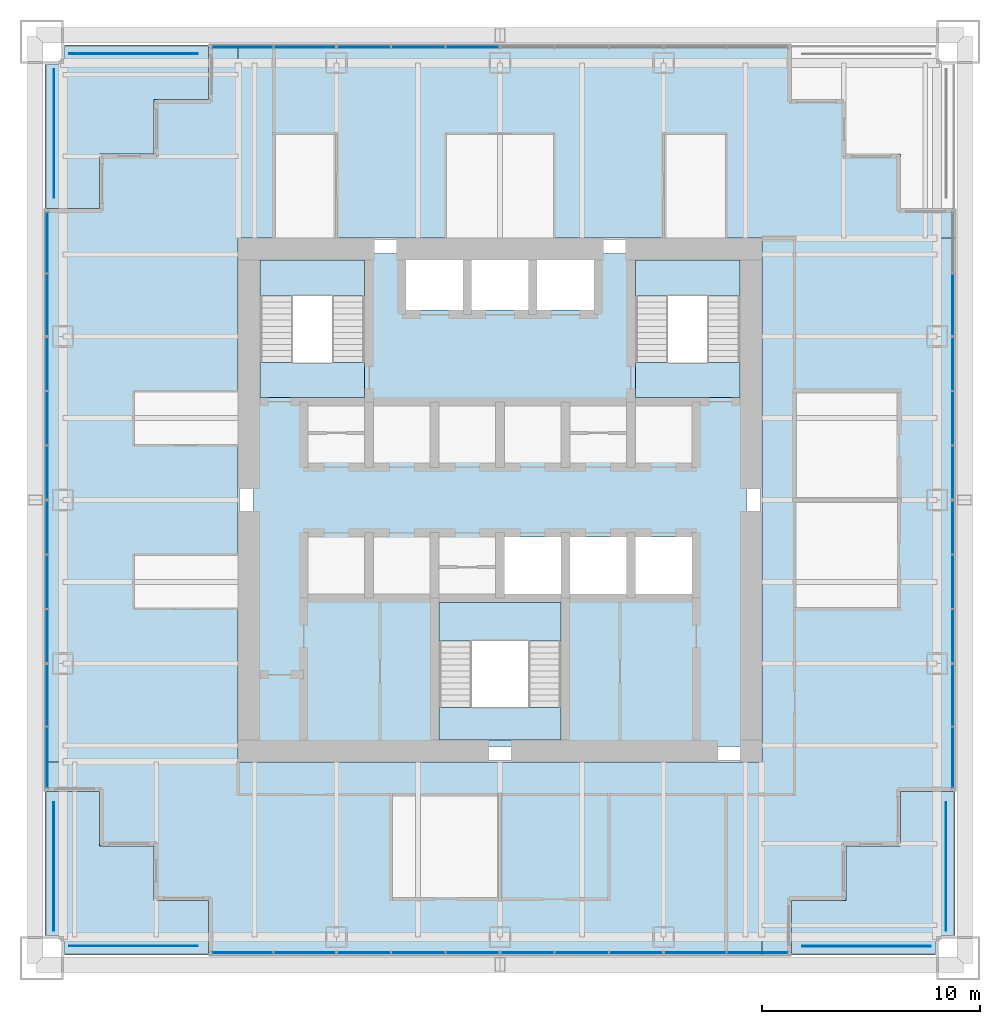
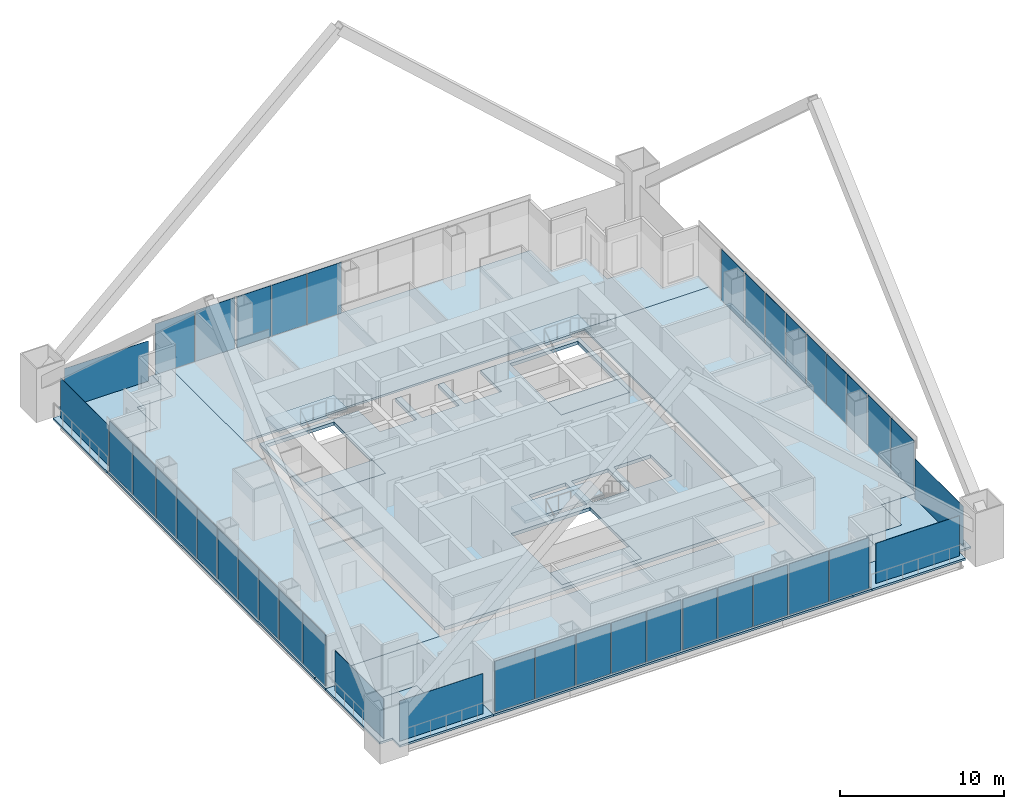
# One storey, part 12 of 18: 40 plates, 14 slabs, 17 elements without a shape of their own.
"""IFC4 building model written with IfcOpenShell, lengths in metres."""

import ifcopenshell
import ifcopenshell.guid

model = None  # the IFC model being written
_history = None  # IfcOwnerHistory: only IFC2X3 demands one
_inside = {}  # id of a spatial element -> (the spatial element, [elements in it])
_under = {}  # id of a project, library or spatial element -> (it, [spatial elements below it])
_declared = {}  # id of a project -> (the project, [libraries it declares])
_typed = {}  # id of a type object -> (the type object, [elements of that type])
_made_of = {}  # id of a material, layer set ... -> (it, [elements and type objects made of it])


def new_model(schema):
    """Start an empty IFC model of exactly this schema.

    Asked for "IFC4X3", IfcOpenShell would pick the latest addendum, in which some entities
    have other attributes; the version numbers below select the first issue.
    IFC2X3 requires an IfcOwnerHistory on every rooted entity: one is made here for all.
    """
    global model, _history
    if schema == "IFC4X3":
        model = ifcopenshell.file(schema_version=(4, 3, 0, 0))
    else:
        model = ifcopenshell.file(schema=schema)
    _inside.clear()
    _under.clear()
    _declared.clear()
    _typed.clear()
    _made_of.clear()
    _history = None
    if model.schema == "IFC2X3":
        org = make("IfcOrganization", Name="unknown")
        user = make(
            "IfcPersonAndOrganization",
            ThePerson=make("IfcPerson", FamilyName="unknown"),
            TheOrganization=org,
        )
        app = make(
            "IfcApplication",
            ApplicationDeveloper=org,
            Version="unknown",
            ApplicationFullName="unknown",
            ApplicationIdentifier="unknown",
        )
        _history = make(
            "IfcOwnerHistory",
            OwningUser=user,
            OwningApplication=app,
            ChangeAction="ADDED",
            CreationDate=0,
        )
    return model


def make(cls, **values):
    """One entity of the class cls with the attributes given. An attribute that is None is left unset."""
    return model.create_entity(
        cls, **{name: value for name, value in values.items() if value is not None}
    )


def rooted(cls, **values):
    """An entity with a GlobalId (a new one), such as an element, a storey or a relation."""
    return make(cls, GlobalId=ifcopenshell.guid.new(), OwnerHistory=_history, **values)


def si_unit(unit_type, name, prefix=None):
    """IfcSIUnit, for example si_unit("LENGTHUNIT", "METRE", prefix="MILLI")."""
    return make("IfcSIUnit", UnitType=unit_type, Prefix=prefix, Name=name)


def assignment(units):
    """IfcUnitAssignment: the units of a project."""
    return None if units is None else make("IfcUnitAssignment", Units=units)


def point(xyz):
    """IfcCartesianPoint."""
    return None if xyz is None else make("IfcCartesianPoint", Coordinates=xyz)


def direction(xyz):
    """IfcDirection."""
    return None if xyz is None else make("IfcDirection", DirectionRatios=xyz)


def frame(location, z_axis=None, x_axis=None):
    """IfcAxis2Placement3D, a coordinate frame: its origin and axes. An axis left out is left unset."""
    return make(
        "IfcAxis2Placement3D",
        Location=point(location),
        Axis=direction(z_axis),
        RefDirection=direction(x_axis),
    )


def frame_2d(location, x_axis=None):
    """IfcAxis2Placement2D, a coordinate frame in the plane: its origin and x axis."""
    return make(
        "IfcAxis2Placement2D", Location=point(location), RefDirection=direction(x_axis)
    )


def origin():
    """The frame at (0, 0, 0) with its axes left unset."""
    return frame((0.0, 0.0, 0.0))


def origin_2d():
    """The frame at (0, 0) in the plane with its x axis left unset."""
    return frame_2d((0.0, 0.0))


def place(relative_to, where):
    """IfcLocalPlacement: puts the frame where relative to a parent placement (None: the world)."""
    return make(
        "IfcLocalPlacement", PlacementRelTo=relative_to, RelativePlacement=where
    )


def context(
    kind, dimensions, precision=None, world=None, true_north=None, identifier=None
):
    """IfcGeometricRepresentationContext, for example the 3D "Model" context."""
    return make(
        "IfcGeometricRepresentationContext",
        ContextIdentifier=identifier,
        ContextType=kind,
        CoordinateSpaceDimension=dimensions,
        Precision=precision,
        WorldCoordinateSystem=world,
        TrueNorth=true_north,
    )


def subcontext(parent, identifier, kind, view, scale=None):
    """IfcGeometricRepresentationSubContext, for example "Body" below "Model"."""
    return make(
        "IfcGeometricRepresentationSubContext",
        ContextIdentifier=identifier,
        ContextType=kind,
        ParentContext=parent,
        TargetScale=scale,
        TargetView=view,
    )


def project(units=None, contexts=None):
    """IfcProject with its units and contexts."""
    return rooted(
        "IfcProject",
        Name="project",
        RepresentationContexts=contexts,
        UnitsInContext=assignment(units),
    )


def spatial(cls, under=None, at=None, **own):
    """A site, building, storey or space (cls), placed at a placement, below another one or the project."""
    s = rooted(cls, ObjectPlacement=at, **own)
    if under is not None:
        _under.setdefault(under.id(), (under, []))[1].append(s)
    return s


def polyline(points):
    """IfcPolyline through the points."""
    return make("IfcPolyline", Points=[point(p) for p in points])


def profile(cls, at=None, kind="AREA", **sizes):
    """A parametric profile (cls). Its sizes go by their IFC names, for example OverallWidth=200.0."""
    return make(cls, ProfileType=kind, Position=at, **sizes)


def rectangle(**sizes):
    """IfcRectangleProfileDef."""
    return profile("IfcRectangleProfileDef", **sizes)


def outline(outer, holes=None, kind="AREA"):
    """IfcArbitraryClosedProfileDef: a profile drawn as a closed curve; with holes, ...WithVoids."""
    if holes is None:
        return make("IfcArbitraryClosedProfileDef", ProfileType=kind, OuterCurve=outer)
    return make(
        "IfcArbitraryProfileDefWithVoids",
        ProfileType=kind,
        OuterCurve=outer,
        InnerCurves=holes,
    )


def extrude(swept, where, along, depth):
    """IfcExtrudedAreaSolid: the profile swept, set in the frame where, extruded along a direction by depth."""
    return make(
        "IfcExtrudedAreaSolid",
        SweptArea=swept,
        Position=where,
        ExtrudedDirection=direction(along),
        Depth=depth,
    )


def shape(context_of_items, identifier, shape_type, items):
    """IfcShapeRepresentation: the items that make up one representation, for example the "Body"."""
    return make(
        "IfcShapeRepresentation",
        ContextOfItems=context_of_items,
        RepresentationIdentifier=identifier,
        RepresentationType=shape_type,
        Items=items,
    )


def material(Name=None, Category=None):
    """IfcMaterial."""
    return make("IfcMaterial", Name=Name, Category=Category)


def layer(
    of_material, thickness, ventilated=None, Name=None, Category=None, Priority=None
):
    """IfcMaterialLayer: one layer of a wall or slab, of a material (None: an air gap)."""
    return make(
        "IfcMaterialLayer",
        Material=of_material,
        LayerThickness=thickness,
        IsVentilated=ventilated,
        Name=Name,
        Category=Category,
        Priority=Priority,
    )


def layer_set(layers, Name=None):
    """IfcMaterialLayerSet."""
    return make("IfcMaterialLayerSet", MaterialLayers=layers, LayerSetName=Name)


def made_of(thing, what):
    """Note that an element or type object is made of a material, layer set ...; save() writes the relation."""
    if what is not None:
        _made_of.setdefault(what.id(), (what, []))[1].append(thing)
    return thing


def type_object(cls, material=None, **own):
    """A type object (cls), such as IfcWallType, which elements share."""
    return made_of(rooted(cls, **own), material)


def element(
    cls,
    number,
    at=None,
    inside=None,
    cuts=None,
    type_object=None,
    material=None,
    context=None,
    identifier="Body",
    shape_type=None,
    held_by="IfcProductDefinitionShape",
    body=None,
    shapes=None,
    **own,
):
    """One element of the class cls, such as IfcWall. Its Tag is "e" and its number.

    at: its placement. inside: the storey or other place that contains it. cuts: it is an
    opening in that element (IfcRelVoidsElement). A single representation is given by context,
    identifier, shape_type and body (its items); several are given by shapes. held_by: the class
    of the entity that holds the representations. save() writes the other relations.
    """
    e = rooted(cls, Tag="e%d" % number, ObjectPlacement=at, **own)
    if body is not None:
        shapes = [shape(context, identifier, shape_type, body)]
    if shapes is not None:
        e.Representation = make(held_by, Representations=shapes)
    if inside is not None:
        _inside.setdefault(inside.id(), (inside, []))[1].append(e)
    if cuts is not None:
        rooted(
            "IfcRelVoidsElement", RelatingBuildingElement=cuts, RelatedOpeningElement=e
        )
    if type_object is not None:
        _typed.setdefault(type_object.id(), (type_object, []))[1].append(e)
    return made_of(e, material)


def aggregate(whole, parts):
    """IfcRelAggregates: a whole, such as a stair, and the parts it consists of."""
    return rooted("IfcRelAggregates", RelatingObject=whole, RelatedObjects=parts)


def save(model, path):
    """Write the relations noted so far, then the file.

    IfcRelAggregates (storeys below a building ...), IfcRelContainedInSpatialStructure (elements
    in a storey), IfcRelDefinesByType, IfcRelAssociatesMaterial and IfcRelDeclares: one each for
    every whole, place, type object, material and project.
    """
    for whole, parts in _under.values():
        aggregate(whole, parts)
    for where, things in _inside.values():
        rooted(
            "IfcRelContainedInSpatialStructure",
            RelatedElements=things,
            RelatingStructure=where,
        )
    for kind, things in _typed.values():
        rooted("IfcRelDefinesByType", RelatedObjects=things, RelatingType=kind)
    for what, things in _made_of.values():
        rooted("IfcRelAssociatesMaterial", RelatedObjects=things, RelatingMaterial=what)
    for by, libraries in _declared.values():
        rooted("IfcRelDeclares", RelatingContext=by, RelatedDefinitions=libraries)
    model.write(path)


model = new_model("IFC4")

# Units and contexts
model_context = context("Model", 3, precision=1e-05, world=origin(), true_north=direction((0.0, 1.0)))
body_context = subcontext(model_context, "Body", "Model", "MODEL_VIEW")
ifc_project = project(units=[si_unit("LENGTHUNIT", "METRE"), si_unit("AREAUNIT", "SQUARE_METRE"), si_unit("VOLUMEUNIT", "CUBIC_METRE"), si_unit("PLANEANGLEUNIT", "RADIAN"), si_unit("MASSUNIT", "GRAM", prefix="KILO")], contexts=[model_context])

# Site, building, storey
site_placement = place(None, origin())
site = spatial("IfcSite", under=ifc_project, at=site_placement, CompositionType="ELEMENT")
building_placement = place(site_placement, origin())
building = spatial("IfcBuilding", under=site, at=building_placement, Name="Tarangal Relay Tower", CompositionType="ELEMENT")
storey_placement = place(building_placement, frame((0.0, 0.0, 295.89990234375)))
storey = spatial("IfcBuildingStorey", under=building, at=storey_placement, Name="L65", CompositionType="ELEMENT", Elevation=295.89990234375)

# Slabs
ifc_material_1 = material(Name="Concrete fc' 35 MPa", Category="concrete")
ifc_layer_1 = layer(ifc_material_1, 0.25)
ifc_layer_set_1 = layer_set([ifc_layer_1], Name="Core floor slab 250")
slab_type_1 = type_object("IfcSlabType", Name="Core floor slab 250", PredefinedType="FLOOR", material=ifc_layer_set_1)
slab_1_placement = place(storey_placement, frame((0.0, 0.0, -0.25)))
element("IfcSlab", 1, at=slab_1_placement, inside=storey, type_object=slab_type_1, Name="Core floor slab L65", PredefinedType="FLOOR", context=body_context, shape_type="SweptSolid", body=[
    extrude(outline(polyline([(11.300048828125, 11.300048828125), (11.300048828125, -11.300048828125), (-11.300048828125, -11.300048828125), (-11.300048828125, 11.300048828125), (-4.300048828125, 11.300048828125), (-4.300048828125, 8.699951171875), (-1.699951171875, 8.699951171875), (-1.699951171875, 11.300048828125), (-1.300048828125, 11.300048828125), (-1.300048828125, 8.699951171875), (1.300048828125, 8.699951171875), (1.300048828125, 11.300048828125), (1.699951171875, 11.300048828125), (1.699951171875, 8.699951171875), (4.300048828125, 8.699951171875), (4.300048828125, 11.300048828125), (11.300048828125, 11.300048828125)]), holes=[polyline([(2.800048828125, -4.699951171875), (-2.800048828125, -4.699951171875), (-2.800048828125, -11.0), (2.800048828125, -11.0), (2.800048828125, -4.699951171875)]), polyline([(2.800048828125, -1.699951171875), (0.199951171875, -1.699951171875), (0.199951171875, -4.300048828125), (2.800048828125, -4.300048828125), (2.800048828125, -1.699951171875)]), polyline([(5.800048828125, -1.699951171875), (3.199951171875, -1.699951171875), (3.199951171875, -4.300048828125), (5.800048828125, -4.300048828125), (5.800048828125, -1.699951171875)]), polyline([(8.800048828125, -1.699951171875), (6.199951171875, -1.699951171875), (6.199951171875, -4.300048828125), (8.800048828125, -4.300048828125), (8.800048828125, -1.699951171875)]), polyline([(-6.199951171875, 11.0), (-11.0, 11.0), (-11.0, 4.699951171875), (-6.199951171875, 4.699951171875), (-6.199951171875, 11.0)]), polyline([(11.0, 11.0), (6.199951171875, 11.0), (6.199951171875, 4.699951171875), (11.0, 4.699951171875), (11.0, 11.0)])]), origin(), (0.0, 0.0, 1.0), 0.25),
])
ifc_layer_2 = layer(ifc_material_1, 0.14990234375)
ifc_layer_set_2 = layer_set([ifc_layer_2], Name="Floor slab 150")
slab_type_2 = type_object("IfcSlabType", Name="Floor slab 150", PredefinedType="FLOOR", material=ifc_layer_set_2)
slab_2_placement = place(storey_placement, frame((0.0, 0.0, -0.14990234375)))
element("IfcSlab", 2, at=slab_2_placement, inside=storey, type_object=slab_type_2, Name="Floor slab FS3 L65 north bay", PredefinedType="FLOOR", context=body_context, shape_type="SweptSolid", body=[
    extrude(outline(polyline([(13.35009765625, 20.85009765625), (13.35009765625, 18.35009765625), (15.85009765625, 18.35009765625), (15.85009765625, 15.85009765625), (18.35009765625, 15.85009765625), (18.35009765625, 13.35009765625), (20.85009765625, 13.35009765625), (20.85009765625, 12.0), (-12.0, 12.0), (-12.0, 20.85009765625), (13.35009765625, 20.85009765625)])), origin(), (0.0, 0.0, 1.0), 0.14990234375),
])
slab_3_placement = place(storey_placement, frame((0.0, 0.0, -0.14990234375)))
element("IfcSlab", 3, at=slab_3_placement, inside=storey, type_object=slab_type_2, Name="Floor slab FS3 L65 east bay", PredefinedType="FLOOR", context=body_context, shape_type="SweptSolid", body=[
    extrude(outline(polyline([(20.85009765625, -13.35009765625), (18.35009765625, -13.35009765625), (18.35009765625, -15.85009765625), (15.85009765625, -15.85009765625), (15.85009765625, -18.35009765625), (13.35009765625, -18.35009765625), (13.35009765625, -20.85009765625), (12.0, -20.85009765625), (12.0, 12.0), (20.85009765625, 12.0), (20.85009765625, -13.35009765625)])), origin(), (0.0, 0.0, 1.0), 0.14990234375),
])
slab_4_placement = place(storey_placement, frame((0.0, 0.0, -0.14990234375)))
element("IfcSlab", 4, at=slab_4_placement, inside=storey, type_object=slab_type_2, Name="Floor slab FS3 L65 south bay", PredefinedType="FLOOR", context=body_context, shape_type="SweptSolid", body=[
    extrude(outline(polyline([(-13.35009765625, -20.85009765625), (-13.35009765625, -18.35009765625), (-15.85009765625, -18.35009765625), (-15.85009765625, -15.85009765625), (-18.35009765625, -15.85009765625), (-18.35009765625, -13.35009765625), (-20.85009765625, -13.35009765625), (-20.85009765625, -12.0), (12.0, -12.0), (12.0, -20.85009765625), (-13.35009765625, -20.85009765625)])), origin(), (0.0, 0.0, 1.0), 0.14990234375),
])
slab_5_placement = place(storey_placement, frame((0.0, 0.0, -0.14990234375)))
element("IfcSlab", 5, at=slab_5_placement, inside=storey, type_object=slab_type_2, Name="Floor slab FS3 L65 west bay", PredefinedType="FLOOR", context=body_context, shape_type="SweptSolid", body=[
    extrude(outline(polyline([(-12.0, 20.85009765625), (-12.0, -12.0), (-20.85009765625, -12.0), (-20.85009765625, 13.35009765625), (-18.35009765625, 13.35009765625), (-18.35009765625, 15.85009765625), (-15.85009765625, 15.85009765625), (-15.85009765625, 18.35009765625), (-13.35009765625, 18.35009765625), (-13.35009765625, 20.85009765625), (-12.0, 20.85009765625)])), origin(), (0.0, 0.0, 1.0), 0.14990234375),
])

# Curtain wall, plates
ifc_material_2 = material(Name="Unitised curtain wall, dark glass and black aluminium", Category="aluminium")
curtain_wall_type = type_object("IfcCurtainWallType", Name="Curtain wall CW-B", PredefinedType="USERDEFINED", material=ifc_material_2)
curtain_wall_1_placement = place(storey_placement, origin())
curtain_wall_1 = element("IfcCurtainWall", 6, at=curtain_wall_1_placement, inside=storey, type_object=curtain_wall_type, Name="Curtain wall CW-B N facade L65", ObjectType="UNITISED CURTAIN WALL", PredefinedType="USERDEFINED")
ifc_material_3 = material(Name="Dark tinted insulated glass unit", Category="glass")
ifc_layer_3 = layer(ifc_material_3, 0.030029296875)
ifc_layer_set_3 = layer_set([ifc_layer_3], Name="Glazed panel CW-B 30")
plate_type_1 = type_object("IfcPlateType", Name="Glazed panel CW-B 30", PredefinedType="CURTAIN_PANEL", material=ifc_layer_set_3)
plate_1_placement = place(storey_placement, frame((-11.797607421875, 20.75, 0.06005859375), z_axis=(0.0, 0.0, 1.0), x_axis=(1.0, 0.0, 0.0)))
plate_1 = element("IfcPlate", 7, at=plate_1_placement, type_object=plate_type_1, Name="CW-B panel 1.1", PredefinedType="CURTAIN_PANEL", context=body_context, shape_type="SweptSolid", body=[
    extrude(rectangle(XDim=2.784912109375, YDim=0.030029296875, at=origin_2d()), origin(), (0.0, 0.0, 1.0), 3.7900390625),
])
plate_2_placement = place(storey_placement, frame((-8.952392578125, 20.75, 0.06005859375), z_axis=(0.0, 0.0, 1.0), x_axis=(1.0, 0.0, 0.0)))
plate_2 = element("IfcPlate", 8, at=plate_2_placement, type_object=plate_type_1, Name="CW-B panel 2.1", PredefinedType="CURTAIN_PANEL", context=body_context, shape_type="SweptSolid", body=[
    extrude(rectangle(XDim=2.784912109375, YDim=0.030029296875, at=origin_2d()), origin(), (0.0, 0.0, 1.0), 3.7900390625),
])
aggregate(curtain_wall_1, [plate_1, plate_2])

curtain_wall_2_placement = place(storey_placement, origin())
curtain_wall_2 = element("IfcCurtainWall", 9, at=curtain_wall_2_placement, inside=storey, type_object=curtain_wall_type, Name="Curtain wall CW-B N facade L65", ObjectType="UNITISED CURTAIN WALL", PredefinedType="USERDEFINED")
plate_3_placement = place(storey_placement, frame((-6.235107421875, 20.75, 0.06005859375), z_axis=(0.0, 0.0, 1.0), x_axis=(1.0, 0.0, 0.0)))
plate_3 = element("IfcPlate", 10, at=plate_3_placement, type_object=plate_type_1, Name="CW-B panel 1.1", PredefinedType="CURTAIN_PANEL", context=body_context, shape_type="SweptSolid", body=[
    extrude(rectangle(XDim=2.409912109375, YDim=0.030029296875, at=origin_2d()), origin(), (0.0, 0.0, 1.0), 3.7900390625),
])
plate_4_placement = place(storey_placement, frame((-3.75, 20.75, 0.06005859375), z_axis=(0.0, 0.0, 1.0), x_axis=(1.0, 0.0, 0.0)))
plate_4 = element("IfcPlate", 11, at=plate_4_placement, type_object=plate_type_1, Name="CW-B panel 2.1", PredefinedType="CURTAIN_PANEL", context=body_context, shape_type="SweptSolid", body=[
    extrude(rectangle(XDim=2.43994140625, YDim=0.030029296875, at=origin_2d()), origin(), (0.0, 0.0, 1.0), 3.7900390625),
])
plate_5_placement = place(storey_placement, frame((-1.264892578125, 20.75, 0.06005859375), z_axis=(0.0, 0.0, 1.0), x_axis=(1.0, 0.0, 0.0)))
plate_5 = element("IfcPlate", 12, at=plate_5_placement, type_object=plate_type_1, Name="CW-B panel 3.1", PredefinedType="CURTAIN_PANEL", context=body_context, shape_type="SweptSolid", body=[
    extrude(rectangle(XDim=2.409912109375, YDim=0.030029296875, at=origin_2d()), origin(), (0.0, 0.0, 1.0), 3.7900390625),
])
aggregate(curtain_wall_2, [plate_3, plate_4, plate_5])

# Curtain wall, plate
curtain_wall_3_placement = place(storey_placement, origin())
curtain_wall_3 = element("IfcCurtainWall", 13, at=curtain_wall_3_placement, inside=storey, type_object=curtain_wall_type, Name="Curtain wall CW-B E facade L65", ObjectType="UNITISED CURTAIN WALL", PredefinedType="USERDEFINED")
plate_6_placement = place(storey_placement, frame((20.75, 8.952392578125, 0.06005859375), z_axis=(0.0, 0.0, 1.0), x_axis=(0.0, -1.0, 0.0)))
plate_6 = element("IfcPlate", 14, at=plate_6_placement, type_object=plate_type_1, Name="CW-B panel 2.1", PredefinedType="CURTAIN_PANEL", context=body_context, shape_type="SweptSolid", body=[
    extrude(rectangle(XDim=2.784912109375, YDim=0.030029296875, at=origin_2d()), origin(), (0.0, 0.0, 1.0), 3.7900390625),
])
aggregate(curtain_wall_3, [plate_6])

# Curtain wall, plates
curtain_wall_4_placement = place(storey_placement, origin())
curtain_wall_4 = element("IfcCurtainWall", 15, at=curtain_wall_4_placement, inside=storey, type_object=curtain_wall_type, Name="Curtain wall CW-B E facade L65", ObjectType="UNITISED CURTAIN WALL", PredefinedType="USERDEFINED")
plate_7_placement = place(storey_placement, frame((20.75, 6.235107421875, 0.06005859375), z_axis=(0.0, 0.0, 1.0), x_axis=(0.0, -1.0, 0.0)))
plate_7 = element("IfcPlate", 16, at=plate_7_placement, type_object=plate_type_1, Name="CW-B panel 1.1", PredefinedType="CURTAIN_PANEL", context=body_context, shape_type="SweptSolid", body=[
    extrude(rectangle(XDim=2.409912109375, YDim=0.030029296875, at=origin_2d()), origin(), (0.0, 0.0, 1.0), 3.7900390625),
])
plate_8_placement = place(storey_placement, frame((20.75, 3.75, 0.06005859375), z_axis=(0.0, 0.0, 1.0), x_axis=(0.0, -1.0, 0.0)))
plate_8 = element("IfcPlate", 17, at=plate_8_placement, type_object=plate_type_1, Name="CW-B panel 2.1", PredefinedType="CURTAIN_PANEL", context=body_context, shape_type="SweptSolid", body=[
    extrude(rectangle(XDim=2.43994140625, YDim=0.030029296875, at=origin_2d()), origin(), (0.0, 0.0, 1.0), 3.7900390625),
])
plate_9_placement = place(storey_placement, frame((20.75, 1.264892578125, 0.06005859375), z_axis=(0.0, 0.0, 1.0), x_axis=(0.0, -1.0, 0.0)))
plate_9 = element("IfcPlate", 18, at=plate_9_placement, type_object=plate_type_1, Name="CW-B panel 3.1", PredefinedType="CURTAIN_PANEL", context=body_context, shape_type="SweptSolid", body=[
    extrude(rectangle(XDim=2.409912109375, YDim=0.030029296875, at=origin_2d()), origin(), (0.0, 0.0, 1.0), 3.7900390625),
])
aggregate(curtain_wall_4, [plate_7, plate_8, plate_9])

curtain_wall_5_placement = place(storey_placement, origin())
curtain_wall_5 = element("IfcCurtainWall", 19, at=curtain_wall_5_placement, inside=storey, type_object=curtain_wall_type, Name="Curtain wall CW-B E facade L65", ObjectType="UNITISED CURTAIN WALL", PredefinedType="USERDEFINED")
plate_10_placement = place(storey_placement, frame((20.75, -1.264892578125, 0.06005859375), z_axis=(0.0, 0.0, 1.0), x_axis=(0.0, -1.0, 0.0)))
plate_10 = element("IfcPlate", 20, at=plate_10_placement, type_object=plate_type_1, Name="CW-B panel 1.1", PredefinedType="CURTAIN_PANEL", context=body_context, shape_type="SweptSolid", body=[
    extrude(rectangle(XDim=2.409912109375, YDim=0.030029296875, at=origin_2d()), origin(), (0.0, 0.0, 1.0), 3.7900390625),
])
plate_11_placement = place(storey_placement, frame((20.75, -3.75, 0.06005859375), z_axis=(0.0, 0.0, 1.0), x_axis=(0.0, -1.0, 0.0)))
plate_11 = element("IfcPlate", 21, at=plate_11_placement, type_object=plate_type_1, Name="CW-B panel 2.1", PredefinedType="CURTAIN_PANEL", context=body_context, shape_type="SweptSolid", body=[
    extrude(rectangle(XDim=2.43994140625, YDim=0.030029296875, at=origin_2d()), origin(), (0.0, 0.0, 1.0), 3.7900390625),
])
plate_12_placement = place(storey_placement, frame((20.75, -6.235107421875, 0.06005859375), z_axis=(0.0, 0.0, 1.0), x_axis=(0.0, -1.0, 0.0)))
plate_12 = element("IfcPlate", 22, at=plate_12_placement, type_object=plate_type_1, Name="CW-B panel 3.1", PredefinedType="CURTAIN_PANEL", context=body_context, shape_type="SweptSolid", body=[
    extrude(rectangle(XDim=2.409912109375, YDim=0.030029296875, at=origin_2d()), origin(), (0.0, 0.0, 1.0), 3.7900390625),
])
aggregate(curtain_wall_5, [plate_10, plate_11, plate_12])

curtain_wall_6_placement = place(storey_placement, origin())
curtain_wall_6 = element("IfcCurtainWall", 23, at=curtain_wall_6_placement, inside=storey, type_object=curtain_wall_type, Name="Curtain wall CW-B E facade L65", ObjectType="UNITISED CURTAIN WALL", PredefinedType="USERDEFINED")
plate_13_placement = place(storey_placement, frame((20.75, -8.952392578125, 0.06005859375), z_axis=(0.0, 0.0, 1.0), x_axis=(0.0, -1.0, 0.0)))
plate_13 = element("IfcPlate", 24, at=plate_13_placement, type_object=plate_type_1, Name="CW-B panel 1.1", PredefinedType="CURTAIN_PANEL", context=body_context, shape_type="SweptSolid", body=[
    extrude(rectangle(XDim=2.784912109375, YDim=0.030029296875, at=origin_2d()), origin(), (0.0, 0.0, 1.0), 3.7900390625),
])
plate_14_placement = place(storey_placement, frame((20.75, -11.797607421875, 0.06005859375), z_axis=(0.0, 0.0, 1.0), x_axis=(0.0, -1.0, 0.0)))
plate_14 = element("IfcPlate", 25, at=plate_14_placement, type_object=plate_type_1, Name="CW-B panel 2.1", PredefinedType="CURTAIN_PANEL", context=body_context, shape_type="SweptSolid", body=[
    extrude(rectangle(XDim=2.784912109375, YDim=0.030029296875, at=origin_2d()), origin(), (0.0, 0.0, 1.0), 3.7900390625),
])
aggregate(curtain_wall_6, [plate_13, plate_14])

curtain_wall_7_placement = place(storey_placement, origin())
curtain_wall_7 = element("IfcCurtainWall", 26, at=curtain_wall_7_placement, inside=storey, type_object=curtain_wall_type, Name="Curtain wall CW-B S facade L65", ObjectType="UNITISED CURTAIN WALL", PredefinedType="USERDEFINED")
plate_15_placement = place(storey_placement, frame((11.797607421875, -20.75, 0.06005859375), z_axis=(0.0, 0.0, 1.0), x_axis=(-1.0, 0.0, 0.0)))
plate_15 = element("IfcPlate", 27, at=plate_15_placement, type_object=plate_type_1, Name="CW-B panel 1.1", PredefinedType="CURTAIN_PANEL", context=body_context, shape_type="SweptSolid", body=[
    extrude(rectangle(XDim=2.784912109375, YDim=0.030029296875, at=origin_2d()), origin(), (0.0, 0.0, 1.0), 3.7900390625),
])
plate_16_placement = place(storey_placement, frame((8.952392578125, -20.75, 0.06005859375), z_axis=(0.0, 0.0, 1.0), x_axis=(-1.0, 0.0, 0.0)))
plate_16 = element("IfcPlate", 28, at=plate_16_placement, type_object=plate_type_1, Name="CW-B panel 2.1", PredefinedType="CURTAIN_PANEL", context=body_context, shape_type="SweptSolid", body=[
    extrude(rectangle(XDim=2.784912109375, YDim=0.030029296875, at=origin_2d()), origin(), (0.0, 0.0, 1.0), 3.7900390625),
])
aggregate(curtain_wall_7, [plate_15, plate_16])

curtain_wall_8_placement = place(storey_placement, origin())
curtain_wall_8 = element("IfcCurtainWall", 29, at=curtain_wall_8_placement, inside=storey, type_object=curtain_wall_type, Name="Curtain wall CW-B S facade L65", ObjectType="UNITISED CURTAIN WALL", PredefinedType="USERDEFINED")
plate_17_placement = place(storey_placement, frame((6.235107421875, -20.75, 0.06005859375), z_axis=(0.0, 0.0, 1.0), x_axis=(-1.0, 0.0, 0.0)))
plate_17 = element("IfcPlate", 30, at=plate_17_placement, type_object=plate_type_1, Name="CW-B panel 1.1", PredefinedType="CURTAIN_PANEL", context=body_context, shape_type="SweptSolid", body=[
    extrude(rectangle(XDim=2.409912109375, YDim=0.030029296875, at=origin_2d()), origin(), (0.0, 0.0, 1.0), 3.7900390625),
])
plate_18_placement = place(storey_placement, frame((3.75, -20.75, 0.06005859375), z_axis=(0.0, 0.0, 1.0), x_axis=(-1.0, 0.0, 0.0)))
plate_18 = element("IfcPlate", 31, at=plate_18_placement, type_object=plate_type_1, Name="CW-B panel 2.1", PredefinedType="CURTAIN_PANEL", context=body_context, shape_type="SweptSolid", body=[
    extrude(rectangle(XDim=2.43994140625, YDim=0.030029296875, at=origin_2d()), origin(), (0.0, 0.0, 1.0), 3.7900390625),
])
plate_19_placement = place(storey_placement, frame((1.264892578125, -20.75, 0.06005859375), z_axis=(0.0, 0.0, 1.0), x_axis=(-1.0, 0.0, 0.0)))
plate_19 = element("IfcPlate", 32, at=plate_19_placement, type_object=plate_type_1, Name="CW-B panel 3.1", PredefinedType="CURTAIN_PANEL", context=body_context, shape_type="SweptSolid", body=[
    extrude(rectangle(XDim=2.409912109375, YDim=0.030029296875, at=origin_2d()), origin(), (0.0, 0.0, 1.0), 3.7900390625),
])
aggregate(curtain_wall_8, [plate_17, plate_18, plate_19])

curtain_wall_9_placement = place(storey_placement, origin())
curtain_wall_9 = element("IfcCurtainWall", 33, at=curtain_wall_9_placement, inside=storey, type_object=curtain_wall_type, Name="Curtain wall CW-B S facade L65", ObjectType="UNITISED CURTAIN WALL", PredefinedType="USERDEFINED")
plate_20_placement = place(storey_placement, frame((-1.264892578125, -20.75, 0.06005859375), z_axis=(0.0, 0.0, 1.0), x_axis=(-1.0, 0.0, 0.0)))
plate_20 = element("IfcPlate", 34, at=plate_20_placement, type_object=plate_type_1, Name="CW-B panel 1.1", PredefinedType="CURTAIN_PANEL", context=body_context, shape_type="SweptSolid", body=[
    extrude(rectangle(XDim=2.409912109375, YDim=0.030029296875, at=origin_2d()), origin(), (0.0, 0.0, 1.0), 3.7900390625),
])
plate_21_placement = place(storey_placement, frame((-3.75, -20.75, 0.06005859375), z_axis=(0.0, 0.0, 1.0), x_axis=(-1.0, 0.0, 0.0)))
plate_21 = element("IfcPlate", 35, at=plate_21_placement, type_object=plate_type_1, Name="CW-B panel 2.1", PredefinedType="CURTAIN_PANEL", context=body_context, shape_type="SweptSolid", body=[
    extrude(rectangle(XDim=2.43994140625, YDim=0.030029296875, at=origin_2d()), origin(), (0.0, 0.0, 1.0), 3.7900390625),
])
plate_22_placement = place(storey_placement, frame((-6.235107421875, -20.75, 0.06005859375), z_axis=(0.0, 0.0, 1.0), x_axis=(-1.0, 0.0, 0.0)))
plate_22 = element("IfcPlate", 36, at=plate_22_placement, type_object=plate_type_1, Name="CW-B panel 3.1", PredefinedType="CURTAIN_PANEL", context=body_context, shape_type="SweptSolid", body=[
    extrude(rectangle(XDim=2.409912109375, YDim=0.030029296875, at=origin_2d()), origin(), (0.0, 0.0, 1.0), 3.7900390625),
])
aggregate(curtain_wall_9, [plate_20, plate_21, plate_22])

curtain_wall_10_placement = place(storey_placement, origin())
curtain_wall_10 = element("IfcCurtainWall", 37, at=curtain_wall_10_placement, inside=storey, type_object=curtain_wall_type, Name="Curtain wall CW-B S facade L65", ObjectType="UNITISED CURTAIN WALL", PredefinedType="USERDEFINED")
plate_23_placement = place(storey_placement, frame((-8.952392578125, -20.75, 0.06005859375), z_axis=(0.0, 0.0, 1.0), x_axis=(-1.0, 0.0, 0.0)))
plate_23 = element("IfcPlate", 38, at=plate_23_placement, type_object=plate_type_1, Name="CW-B panel 1.1", PredefinedType="CURTAIN_PANEL", context=body_context, shape_type="SweptSolid", body=[
    extrude(rectangle(XDim=2.784912109375, YDim=0.030029296875, at=origin_2d()), origin(), (0.0, 0.0, 1.0), 3.7900390625),
])
plate_24_placement = place(storey_placement, frame((-11.797607421875, -20.75, 0.06005859375), z_axis=(0.0, 0.0, 1.0), x_axis=(-1.0, 0.0, 0.0)))
plate_24 = element("IfcPlate", 39, at=plate_24_placement, type_object=plate_type_1, Name="CW-B panel 2.1", PredefinedType="CURTAIN_PANEL", context=body_context, shape_type="SweptSolid", body=[
    extrude(rectangle(XDim=2.784912109375, YDim=0.030029296875, at=origin_2d()), origin(), (0.0, 0.0, 1.0), 3.7900390625),
])
aggregate(curtain_wall_10, [plate_23, plate_24])

curtain_wall_11_placement = place(storey_placement, origin())
curtain_wall_11 = element("IfcCurtainWall", 40, at=curtain_wall_11_placement, inside=storey, type_object=curtain_wall_type, Name="Curtain wall CW-B W facade L65", ObjectType="UNITISED CURTAIN WALL", PredefinedType="USERDEFINED")
plate_25_placement = place(storey_placement, frame((-20.75, -11.797607421875, 0.06005859375), z_axis=(0.0, 0.0, 1.0), x_axis=(0.0, 1.0, 0.0)))
plate_25 = element("IfcPlate", 41, at=plate_25_placement, type_object=plate_type_1, Name="CW-B panel 1.1", PredefinedType="CURTAIN_PANEL", context=body_context, shape_type="SweptSolid", body=[
    extrude(rectangle(XDim=2.784912109375, YDim=0.030029296875, at=origin_2d()), origin(), (0.0, 0.0, 1.0), 3.7900390625),
])
plate_26_placement = place(storey_placement, frame((-20.75, -8.952392578125, 0.06005859375), z_axis=(0.0, 0.0, 1.0), x_axis=(0.0, 1.0, 0.0)))
plate_26 = element("IfcPlate", 42, at=plate_26_placement, type_object=plate_type_1, Name="CW-B panel 2.1", PredefinedType="CURTAIN_PANEL", context=body_context, shape_type="SweptSolid", body=[
    extrude(rectangle(XDim=2.784912109375, YDim=0.030029296875, at=origin_2d()), origin(), (0.0, 0.0, 1.0), 3.7900390625),
])
aggregate(curtain_wall_11, [plate_25, plate_26])

curtain_wall_12_placement = place(storey_placement, origin())
curtain_wall_12 = element("IfcCurtainWall", 43, at=curtain_wall_12_placement, inside=storey, type_object=curtain_wall_type, Name="Curtain wall CW-B W facade L65", ObjectType="UNITISED CURTAIN WALL", PredefinedType="USERDEFINED")
plate_27_placement = place(storey_placement, frame((-20.75, -6.235107421875, 0.06005859375), z_axis=(0.0, 0.0, 1.0), x_axis=(0.0, 1.0, 0.0)))
plate_27 = element("IfcPlate", 44, at=plate_27_placement, type_object=plate_type_1, Name="CW-B panel 1.1", PredefinedType="CURTAIN_PANEL", context=body_context, shape_type="SweptSolid", body=[
    extrude(rectangle(XDim=2.409912109375, YDim=0.030029296875, at=origin_2d()), origin(), (0.0, 0.0, 1.0), 3.7900390625),
])
plate_28_placement = place(storey_placement, frame((-20.75, -3.75, 0.06005859375), z_axis=(0.0, 0.0, 1.0), x_axis=(0.0, 1.0, 0.0)))
plate_28 = element("IfcPlate", 45, at=plate_28_placement, type_object=plate_type_1, Name="CW-B panel 2.1", PredefinedType="CURTAIN_PANEL", context=body_context, shape_type="SweptSolid", body=[
    extrude(rectangle(XDim=2.43994140625, YDim=0.030029296875, at=origin_2d()), origin(), (0.0, 0.0, 1.0), 3.7900390625),
])
plate_29_placement = place(storey_placement, frame((-20.75, -1.264892578125, 0.06005859375), z_axis=(0.0, 0.0, 1.0), x_axis=(0.0, 1.0, 0.0)))
plate_29 = element("IfcPlate", 46, at=plate_29_placement, type_object=plate_type_1, Name="CW-B panel 3.1", PredefinedType="CURTAIN_PANEL", context=body_context, shape_type="SweptSolid", body=[
    extrude(rectangle(XDim=2.409912109375, YDim=0.030029296875, at=origin_2d()), origin(), (0.0, 0.0, 1.0), 3.7900390625),
])
aggregate(curtain_wall_12, [plate_27, plate_28, plate_29])

curtain_wall_13_placement = place(storey_placement, origin())
curtain_wall_13 = element("IfcCurtainWall", 47, at=curtain_wall_13_placement, inside=storey, type_object=curtain_wall_type, Name="Curtain wall CW-B W facade L65", ObjectType="UNITISED CURTAIN WALL", PredefinedType="USERDEFINED")
plate_30_placement = place(storey_placement, frame((-20.75, 1.264892578125, 0.06005859375), z_axis=(0.0, 0.0, 1.0), x_axis=(0.0, 1.0, 0.0)))
plate_30 = element("IfcPlate", 48, at=plate_30_placement, type_object=plate_type_1, Name="CW-B panel 1.1", PredefinedType="CURTAIN_PANEL", context=body_context, shape_type="SweptSolid", body=[
    extrude(rectangle(XDim=2.409912109375, YDim=0.030029296875, at=origin_2d()), origin(), (0.0, 0.0, 1.0), 3.7900390625),
])
plate_31_placement = place(storey_placement, frame((-20.75, 3.75, 0.06005859375), z_axis=(0.0, 0.0, 1.0), x_axis=(0.0, 1.0, 0.0)))
plate_31 = element("IfcPlate", 49, at=plate_31_placement, type_object=plate_type_1, Name="CW-B panel 2.1", PredefinedType="CURTAIN_PANEL", context=body_context, shape_type="SweptSolid", body=[
    extrude(rectangle(XDim=2.43994140625, YDim=0.030029296875, at=origin_2d()), origin(), (0.0, 0.0, 1.0), 3.7900390625),
])
plate_32_placement = place(storey_placement, frame((-20.75, 6.235107421875, 0.06005859375), z_axis=(0.0, 0.0, 1.0), x_axis=(0.0, 1.0, 0.0)))
plate_32 = element("IfcPlate", 50, at=plate_32_placement, type_object=plate_type_1, Name="CW-B panel 3.1", PredefinedType="CURTAIN_PANEL", context=body_context, shape_type="SweptSolid", body=[
    extrude(rectangle(XDim=2.409912109375, YDim=0.030029296875, at=origin_2d()), origin(), (0.0, 0.0, 1.0), 3.7900390625),
])
aggregate(curtain_wall_13, [plate_30, plate_31, plate_32])

curtain_wall_14_placement = place(storey_placement, origin())
curtain_wall_14 = element("IfcCurtainWall", 51, at=curtain_wall_14_placement, inside=storey, type_object=curtain_wall_type, Name="Curtain wall CW-B W facade L65", ObjectType="UNITISED CURTAIN WALL", PredefinedType="USERDEFINED")
plate_33_placement = place(storey_placement, frame((-20.75, 8.952392578125, 0.06005859375), z_axis=(0.0, 0.0, 1.0), x_axis=(0.0, 1.0, 0.0)))
plate_33 = element("IfcPlate", 52, at=plate_33_placement, type_object=plate_type_1, Name="CW-B panel 1.1", PredefinedType="CURTAIN_PANEL", context=body_context, shape_type="SweptSolid", body=[
    extrude(rectangle(XDim=2.784912109375, YDim=0.030029296875, at=origin_2d()), origin(), (0.0, 0.0, 1.0), 3.7900390625),
])
plate_34_placement = place(storey_placement, frame((-20.75, 11.797607421875, 0.06005859375), z_axis=(0.0, 0.0, 1.0), x_axis=(0.0, 1.0, 0.0)))
plate_34 = element("IfcPlate", 53, at=plate_34_placement, type_object=plate_type_1, Name="CW-B panel 2.1", PredefinedType="CURTAIN_PANEL", context=body_context, shape_type="SweptSolid", body=[
    extrude(rectangle(XDim=2.784912109375, YDim=0.030029296875, at=origin_2d()), origin(), (0.0, 0.0, 1.0), 3.7900390625),
])
aggregate(curtain_wall_14, [plate_33, plate_34])

# Plates
ifc_material_4 = material(Name="Black stainless steel cable trellis with climbing planting", Category="steel")
ifc_layer_4 = layer(ifc_material_4, 0.030029296875)
ifc_layer_set_4 = layer_set([ifc_layer_4], Name="Planted trellis screen")
plate_type_2 = type_object("IfcPlateType", Name="Planted trellis screen", PredefinedType="SHEET", material=ifc_layer_set_4)
for number, where, z_axis, x_axis, name in (
    (54, (16.800048828125, -20.449951171875, 0.0), (0.0, 0.0, 1.0), (-1.0, 0.0, 0.0), "Planted trellis SC2 SE L65"),
    (55, (-20.449951171875, -16.800048828125, 0.0), (0.0, 0.0, 1.0), (0.0, 1.0, 0.0), "Planted trellis SC2 SW L65"),
    (56, (-16.800048828125, 20.449951171875, 0.0), (0.0, 0.0, 1.0), (1.0, 0.0, 0.0), "Planted trellis SC2 NW L65"),
):
    element("IfcPlate", number, at=place(storey_placement, frame(where, z_axis=z_axis, x_axis=x_axis)), inside=storey, type_object=plate_type_2, Name=name, PredefinedType="SHEET", context=body_context, shape_type="SweptSolid", body=[
        extrude(rectangle(XDim=5.89990234375, YDim=0.030029296875, at=origin_2d()), origin(), (0.0, 0.0, 1.0), 3.0),
    ])

# Stair, slabs
ifc_material_5 = material(Name="Steel ASTM A992 stair flight", Category="steel")
stair_type = type_object("IfcStairType", Name="Core stair 1500", PredefinedType="HALF_TURN_STAIR", material=ifc_material_5)
stair_1_placement = place(storey_placement, origin())
stair_1 = element("IfcStair", 57, at=stair_1_placement, inside=storey, type_object=stair_type, Name="Stair ST-A L65", PredefinedType="HALF_TURN_STAIR")
ifc_layer_5 = layer(ifc_material_1, 0.199951171875)
ifc_layer_set_5 = layer_set([ifc_layer_5], Name="Stair landing 200")
slab_type_3 = type_object("IfcSlabType", Name="Stair landing 200", PredefinedType="LANDING", material=ifc_layer_set_5)
slab_6_placement = place(storey_placement, frame((0.0, 0.0, -0.199951171875)))
slab_6 = element("IfcSlab", 58, at=slab_6_placement, type_object=slab_type_3, Name="ST-A landing 1", PredefinedType="LANDING", context=body_context, shape_type="SweptSolid", body=[
    extrude(outline(polyline([(-11.0, 4.699951171875), (-6.199951171875, 4.699951171875), (-6.199951171875, 6.300048828125), (-11.0, 6.300048828125), (-11.0, 4.699951171875)])), origin(), (0.0, 0.0, 1.0), 0.199951171875),
])
slab_7_placement = place(storey_placement, frame((0.0, 0.0, 1.800048828125)))
slab_7 = element("IfcSlab", 59, at=slab_7_placement, type_object=slab_type_3, Name="ST-A landing 2", PredefinedType="LANDING", context=body_context, shape_type="SweptSolid", body=[
    extrude(outline(polyline([(-11.0, 9.346923828125), (-6.199951171875, 9.346923828125), (-6.199951171875, 11.0), (-11.0, 11.0), (-11.0, 9.346923828125)])), origin(), (0.0, 0.0, 1.0), 0.199951171875),
])
aggregate(stair_1, [slab_6, slab_7])

stair_2_placement = place(storey_placement, origin())
stair_2 = element("IfcStair", 60, at=stair_2_placement, inside=storey, type_object=stair_type, Name="Stair ST-B L65", PredefinedType="HALF_TURN_STAIR")
slab_8_placement = place(storey_placement, frame((0.0, 0.0, -0.199951171875)))
slab_8 = element("IfcSlab", 61, at=slab_8_placement, type_object=slab_type_3, Name="ST-B landing 1", PredefinedType="LANDING", context=body_context, shape_type="SweptSolid", body=[
    extrude(outline(polyline([(6.199951171875, 4.699951171875), (11.0, 4.699951171875), (11.0, 6.300048828125), (6.199951171875, 6.300048828125), (6.199951171875, 4.699951171875)])), origin(), (0.0, 0.0, 1.0), 0.199951171875),
])
slab_9_placement = place(storey_placement, frame((0.0, 0.0, 1.800048828125)))
slab_9 = element("IfcSlab", 62, at=slab_9_placement, type_object=slab_type_3, Name="ST-B landing 2", PredefinedType="LANDING", context=body_context, shape_type="SweptSolid", body=[
    extrude(outline(polyline([(6.199951171875, 9.346923828125), (11.0, 9.346923828125), (11.0, 11.0), (6.199951171875, 11.0), (6.199951171875, 9.346923828125)])), origin(), (0.0, 0.0, 1.0), 0.199951171875),
])
aggregate(stair_2, [slab_8, slab_9])

stair_3_placement = place(storey_placement, origin())
stair_3 = element("IfcStair", 63, at=stair_3_placement, inside=storey, type_object=stair_type, Name="Stair ST-C L65", PredefinedType="HALF_TURN_STAIR")
slab_10_placement = place(storey_placement, frame((0.0, 0.0, -0.199951171875)))
slab_10 = element("IfcSlab", 64, at=slab_10_placement, type_object=slab_type_3, Name="ST-C landing 1", PredefinedType="LANDING", context=body_context, shape_type="SweptSolid", body=[
    extrude(outline(polyline([(-2.800048828125, -11.0), (2.800048828125, -11.0), (2.800048828125, -9.5), (-2.800048828125, -9.5), (-2.800048828125, -11.0)])), origin(), (0.0, 0.0, 1.0), 0.199951171875),
])
slab_11_placement = place(storey_placement, frame((0.0, 0.0, 1.800048828125)))
slab_11 = element("IfcSlab", 65, at=slab_11_placement, type_object=slab_type_3, Name="ST-C landing 2", PredefinedType="LANDING", context=body_context, shape_type="SweptSolid", body=[
    extrude(outline(polyline([(-2.800048828125, -6.452880859375), (2.800048828125, -6.452880859375), (2.800048828125, -4.699951171875), (-2.800048828125, -4.699951171875), (-2.800048828125, -6.452880859375)])), origin(), (0.0, 0.0, 1.0), 0.199951171875),
])
aggregate(stair_3, [slab_10, slab_11])

# Plates
ifc_material_6 = material(Name="Perforated black aluminium screen", Category="aluminium")
ifc_layer_6 = layer(ifc_material_6, 0.02001953125)
ifc_layer_set_6 = layer_set([ifc_layer_6], Name="Terrace screen panel")
plate_type_3 = type_object("IfcPlateType", Name="Terrace screen panel", PredefinedType="SHEET", material=ifc_layer_set_6)
for number, where, z_axis, x_axis, name in (
    (66, (20.449951171875, -16.800048828125, 0.0), (0.0, 0.0, 1.0), (0.0, -1.0, 0.0), "Terrace screen SC1 SE L65"),
    (67, (-16.800048828125, -20.449951171875, 0.0), (0.0, 0.0, 1.0), (-1.0, 0.0, 0.0), "Terrace screen SC1 SW L65"),
    (68, (-20.449951171875, 16.800048828125, 0.0), (0.0, 0.0, 1.0), (0.0, 1.0, 0.0), "Terrace screen SC1 NW L65"),
):
    element("IfcPlate", number, at=place(storey_placement, frame(where, z_axis=z_axis, x_axis=x_axis)), inside=storey, type_object=plate_type_3, Name=name, PredefinedType="SHEET", context=body_context, shape_type="SweptSolid", body=[
        extrude(rectangle(XDim=5.89990234375, YDim=0.02001953125, at=origin_2d()), origin(), (0.0, 0.0, 1.0), 3.0),
    ])

# Slabs
ifc_layer_7 = layer(ifc_material_1, 0.14990234375)
ifc_layer_set_7 = layer_set([ifc_layer_7], Name="Terrace slab 150")
slab_type_4 = type_object("IfcSlabType", Name="Terrace slab 150", PredefinedType="FLOOR", material=ifc_layer_set_7)
slab_12_placement = place(storey_placement, frame((0.0, 0.0, -0.14990234375)))
element("IfcSlab", 69, at=slab_12_placement, inside=storey, type_object=slab_type_4, Name="Corner terrace SE L65", PredefinedType="FLOOR", context=body_context, shape_type="SweptSolid", body=[
    extrude(outline(polyline([(20.85009765625, -13.35009765625), (18.35009765625, -13.35009765625), (18.35009765625, -15.85009765625), (15.85009765625, -15.85009765625), (15.85009765625, -18.35009765625), (13.35009765625, -18.35009765625), (13.35009765625, -20.85009765625), (19.949951171875, -20.85009765625), (19.949951171875, -19.949951171875), (20.85009765625, -19.949951171875), (20.85009765625, -13.35009765625)])), origin(), (0.0, 0.0, 1.0), 0.14990234375),
])
slab_13_placement = place(storey_placement, frame((0.0, 0.0, -0.14990234375)))
element("IfcSlab", 70, at=slab_13_placement, inside=storey, type_object=slab_type_4, Name="Corner terrace SW L65", PredefinedType="FLOOR", context=body_context, shape_type="SweptSolid", body=[
    extrude(outline(polyline([(-13.35009765625, -20.85009765625), (-13.35009765625, -18.35009765625), (-15.85009765625, -18.35009765625), (-15.85009765625, -15.85009765625), (-18.35009765625, -15.85009765625), (-18.35009765625, -13.35009765625), (-20.85009765625, -13.35009765625), (-20.85009765625, -19.949951171875), (-19.949951171875, -19.949951171875), (-19.949951171875, -20.85009765625), (-13.35009765625, -20.85009765625)])), origin(), (0.0, 0.0, 1.0), 0.14990234375),
])
slab_14_placement = place(storey_placement, frame((0.0, 0.0, -0.14990234375)))
element("IfcSlab", 71, at=slab_14_placement, inside=storey, type_object=slab_type_4, Name="Corner terrace NW L65", PredefinedType="FLOOR", context=body_context, shape_type="SweptSolid", body=[
    extrude(outline(polyline([(-20.85009765625, 13.35009765625), (-18.35009765625, 13.35009765625), (-18.35009765625, 15.85009765625), (-15.85009765625, 15.85009765625), (-15.85009765625, 18.35009765625), (-13.35009765625, 18.35009765625), (-13.35009765625, 20.85009765625), (-19.949951171875, 20.85009765625), (-19.949951171875, 19.949951171875), (-20.85009765625, 19.949951171875), (-20.85009765625, 13.35009765625)])), origin(), (0.0, 0.0, 1.0), 0.14990234375),
])

save(model, "model.ifc")
